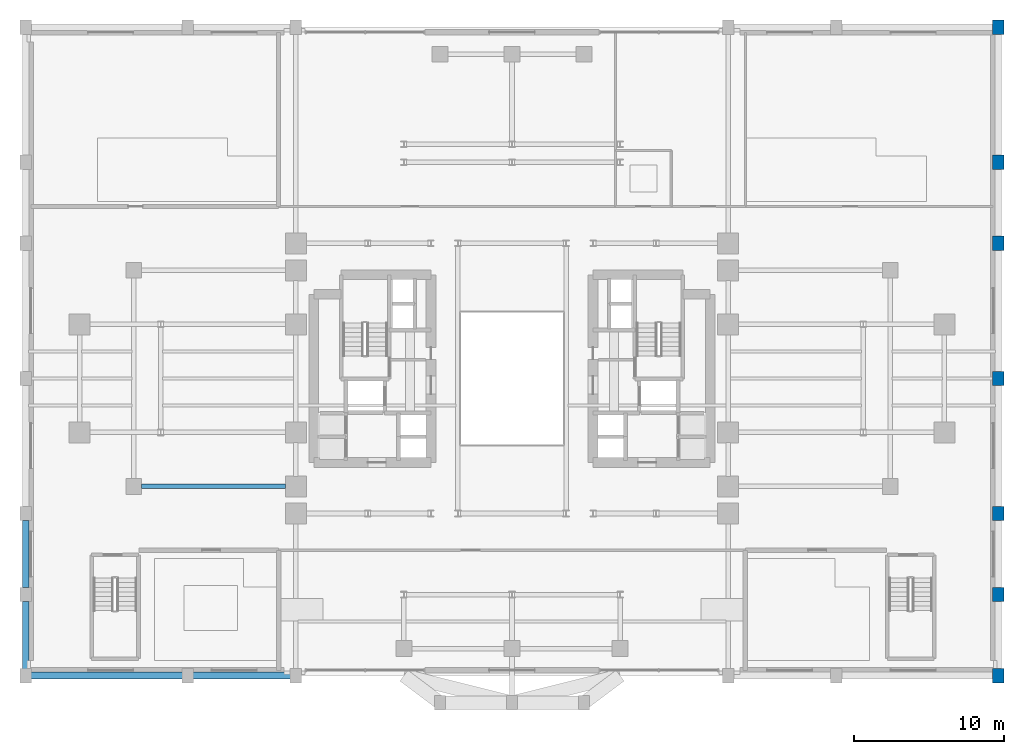
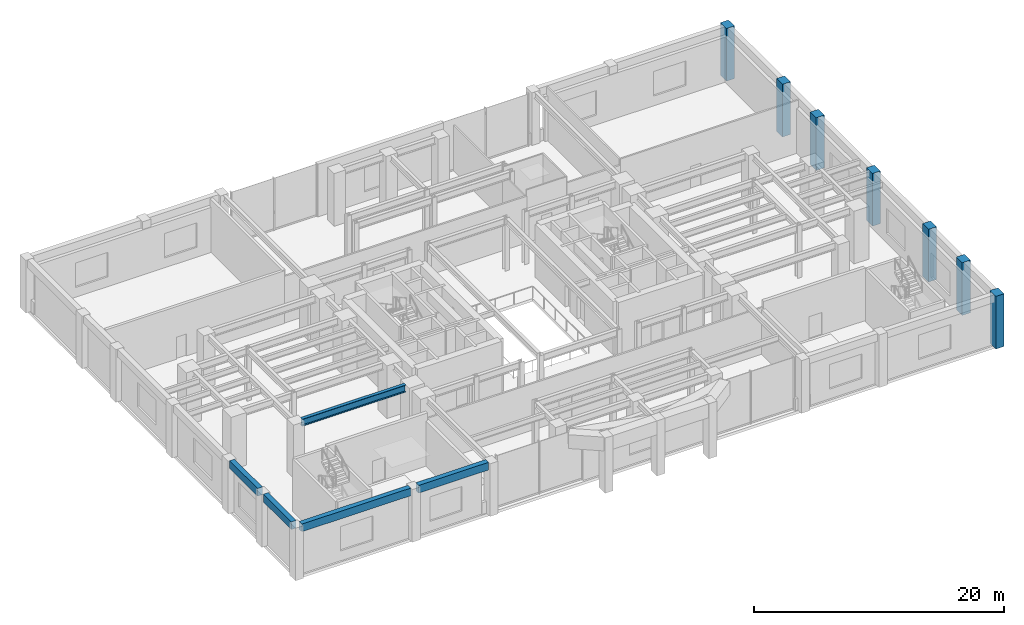
# One storey, part 3 of 16: 7 columns, 5 beams.
"""IFC4 building model written with IfcOpenShell, lengths in metres."""

from ifc_helpers import new_model, si_unit, direction, frame, origin, origin_2d, place, context, subcontext, project, spatial, rectangle, i_section, extrude, source, transform, mapped, material, material_profile, profile_set, type_object, element, save


model = new_model("IFC4")

# Units and contexts
model_context = context("Model", 3, precision=1e-05, world=origin(), true_north=direction((0.0, 1.0)))
body_context = subcontext(model_context, "Body", "Model", "MODEL_VIEW")
ifc_project = project(units=[si_unit("LENGTHUNIT", "METRE"), si_unit("AREAUNIT", "SQUARE_METRE"), si_unit("VOLUMEUNIT", "CUBIC_METRE"), si_unit("PLANEANGLEUNIT", "RADIAN"), si_unit("MASSUNIT", "GRAM", prefix="KILO")], contexts=[model_context])

# Site, building, storey
site_placement = place(None, origin())
site = spatial("IfcSite", under=ifc_project, at=site_placement, CompositionType="ELEMENT")
building_placement = place(site_placement, origin())
building = spatial("IfcBuilding", under=site, at=building_placement, Name="Keilestroom Media Tower", CompositionType="ELEMENT")
storey_placement = place(building_placement, frame((0.0, 0.0, 10.199951171875)))
storey = spatial("IfcBuildingStorey", under=building, at=storey_placement, Name="L02", CompositionType="ELEMENT", Elevation=10.199951171875)

# Columns
ifc_material_1 = material(Name="Precast concrete C40/50", Category="concrete")
ifc_material_profile_1 = material_profile(ifc_material_1, rectangle(XDim=0.75, YDim=0.949951171875, at=origin_2d()), Name="PC 950x750")
ifc_profile_set_1 = profile_set([ifc_material_profile_1], Name="Precast concrete C40/50")
column_type = type_object("IfcColumnType", Name="Structural-Column-PC-950x750", PredefinedType="COLUMN", material=ifc_profile_set_1)
shared_shape_1 = source(origin(), body_context, "Body", "SweptSolid", [
    extrude(rectangle(XDim=0.75, YDim=0.949951171875, at=origin_2d()), origin(), (0.0, 0.0, 1.0), 5.150146484375),
])
for number, where, z_axis, x_axis, name in (
    (1, (32.39990234375, -19.800048828125, 0.0), (0.0, 0.0, 1.0), (1.0, 0.0, 0.0), "L02 Column PC-1 (+32.4,-19.8)"),
    (2, (32.39990234375, -14.39990234375, 0.0), (0.0, 0.0, 1.0), (1.0, 0.0, 0.0), "L02 Column PC-1 (+32.4,-14.4)"),
    (3, (32.39990234375, -9.0, 0.0), (0.0, 0.0, 1.0), (1.0, 0.0, 0.0), "L02 Column PC-1 (+32.4,-9.0)"),
    (4, (32.39990234375, 0.0, 0.0), (0.0, 0.0, 1.0), (1.0, 0.0, 0.0), "L02 Column PC-1 (+32.4,+0.0)"),
    (5, (32.39990234375, 9.0, 0.0), (0.0, 0.0, 1.0), (1.0, 0.0, 0.0), "L02 Column PC-1 (+32.4,+9.0)"),
    (6, (32.39990234375, 14.39990234375, 0.0), (0.0, 0.0, 1.0), (1.0, 0.0, 0.0), "L02 Column PC-1 (+32.4,+14.4)"),
    (7, (32.39990234375, 23.39990234375, 0.0), (0.0, 0.0, 1.0), (1.0, 0.0, 0.0), "L02 Column PC-1 (+32.4,+23.4)"),
):
    element("IfcColumn", number, at=place(storey_placement, frame(where, z_axis=z_axis, x_axis=x_axis)), inside=storey, type_object=column_type, Name=name, PredefinedType="COLUMN", context=body_context, shape_type="MappedRepresentation", body=[
        mapped(shared_shape_1, transform((0.0, 0.0, 0.0), x_axis=(1.0, 0.0, 0.0), y_axis=(0.0, 1.0, 0.0), z_axis=(0.0, 0.0, 1.0), scale=1.0)),
    ])

# Beams
ifc_material_profile_2 = material_profile(ifc_material_1, rectangle(XDim=0.449951171875, YDim=0.75, at=origin_2d()), Name="PC 450x750")
ifc_profile_set_2 = profile_set([ifc_material_profile_2], Name="Precast concrete C40/50")
beam_type_1 = type_object("IfcBeamType", Name="Perimeter-Spandrel-Beam-PC-450x750", PredefinedType="SPANDREL", material=ifc_profile_set_2)
shared_shape_2 = source(origin(), body_context, "Body", "SweptSolid", [
    extrude(rectangle(XDim=0.449951171875, YDim=0.75, at=origin_2d()), origin(), (0.0, 0.0, 1.0), 10.08984375),
])
beam_1_placement = place(storey_placement, frame((-32.044921875, -19.800048828125, 4.775146484375), z_axis=(1.0, 0.0, 0.0), x_axis=(0.0, 1.0, 0.0)))
element("IfcBeam", 8, at=beam_1_placement, inside=storey, type_object=beam_type_1, Name="L02 Beam SPB-1 BM-L02-EW-001", PredefinedType="SPANDREL", context=body_context, shape_type="MappedRepresentation", body=[
    mapped(shared_shape_2, transform((0.0, 0.0, 0.0), x_axis=(1.0, 0.0, 0.0), y_axis=(0.0, 1.0, 0.0), z_axis=(0.0, 0.0, 1.0), scale=1.0)),
])
shared_shape_3 = source(origin(), body_context, "Body", "SweptSolid", [
    extrude(rectangle(XDim=0.449951171875, YDim=0.75, at=origin_2d()), origin(), (0.0, 0.0, 1.0), 6.490234375),
])
beam_2_placement = place(storey_placement, frame((-21.2451171875, -19.800048828125, 4.775146484375), z_axis=(1.0, 0.0, 0.0), x_axis=(0.0, 1.0, 0.0)))
element("IfcBeam", 9, at=beam_2_placement, inside=storey, type_object=beam_type_1, Name="L02 Beam SPB-1 BM-L02-EW-002", PredefinedType="SPANDREL", context=body_context, shape_type="MappedRepresentation", body=[
    mapped(shared_shape_3, transform((0.0, 0.0, 0.0), x_axis=(1.0, 0.0, 0.0), y_axis=(0.0, 1.0, 0.0), z_axis=(0.0, 0.0, 1.0), scale=1.0)),
])
shared_shape_4 = source(origin(), body_context, "Body", "SweptSolid", [
    extrude(rectangle(XDim=0.449951171875, YDim=0.75, at=origin_2d()), origin(), (0.0, 0.0, 1.0), 4.489990234375),
])
for number, where, z_axis, x_axis, name in (
    (10, (-32.39990234375, -19.344970703125, 4.775146484375), (0.0, 1.0, 0.0), (-1.0, 0.0, 0.0), "L02 Beam SPB-1 BM-L02-NS-045"),
    (11, (-32.39990234375, -13.945068359375, 4.775146484375), (0.0, 1.0, 0.0), (-1.0, 0.0, 0.0), "L02 Beam SPB-1 BM-L02-NS-046"),
):
    element("IfcBeam", number, at=place(storey_placement, frame(where, z_axis=z_axis, x_axis=x_axis)), inside=storey, type_object=beam_type_1, Name=name, PredefinedType="SPANDREL", context=body_context, shape_type="MappedRepresentation", body=[
        mapped(shared_shape_4, transform((0.0, 0.0, 0.0), x_axis=(1.0, 0.0, 0.0), y_axis=(0.0, 1.0, 0.0), z_axis=(0.0, 0.0, 1.0), scale=1.0)),
    ])
ifc_material_2 = material(Name="Steel S460", Category="steel")
ifc_material_profile_3 = material_profile(ifc_material_2, i_section(OverallWidth=0.300048828125, OverallDepth=0.699951171875, WebThickness=0.014404296875, FlangeThickness=0.031982421875, at=origin_2d()), Name="HEB 700")
ifc_profile_set_3 = profile_set([ifc_material_profile_3], Name="Steel S460")
beam_type_2 = type_object("IfcBeamType", Name="Primary-Structural-Girder-HEB-700", PredefinedType="BEAM", material=ifc_profile_set_3)
shared_shape_5 = source(origin(), body_context, "Body", "SweptSolid", [
    extrude(i_section(OverallWidth=0.300048828125, OverallDepth=0.699951171875, WebThickness=0.014404296875, FlangeThickness=0.031982421875, at=origin_2d()), origin(), (0.0, 0.0, 1.0), 9.614990234375),
])
beam_3_placement = place(storey_placement, frame((-24.695068359375, -7.199951171875, 4.800048828125), z_axis=(1.0, 0.0, 0.0), x_axis=(0.0, 1.0, 0.0)))
element("IfcBeam", 12, at=beam_3_placement, inside=storey, type_object=beam_type_2, Name="L02 Beam BG-2 BM-L02-EW-016", PredefinedType="BEAM", context=body_context, shape_type="MappedRepresentation", body=[
    mapped(shared_shape_5, transform((0.0, 0.0, 0.0), x_axis=(1.0, 0.0, 0.0), y_axis=(0.0, 1.0, 0.0), z_axis=(0.0, 0.0, 1.0), scale=1.0)),
])

save(model, "model.ifc")
